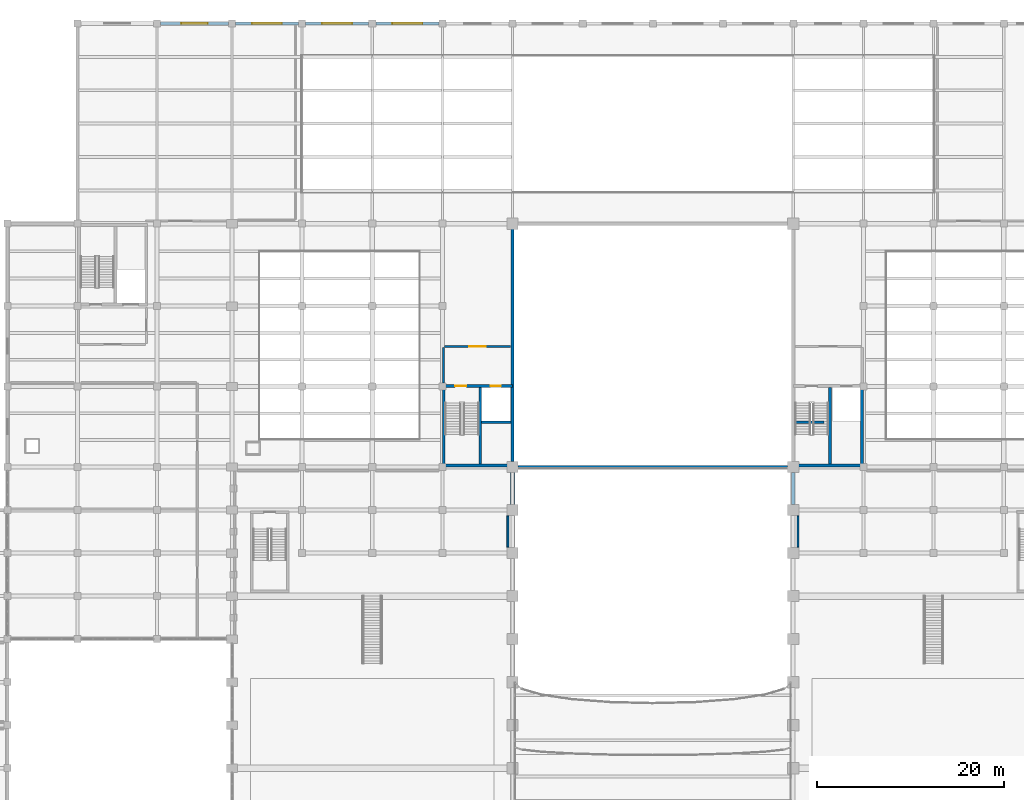
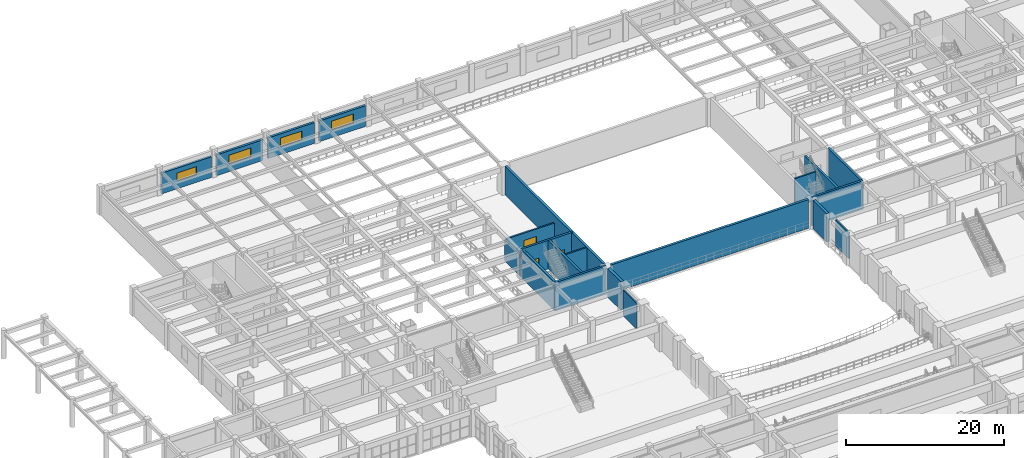
# One storey, part 99 of 116: 21 walls, 4 windows, 3 doors, 7 openings.
"""IFC4 building model written with IfcOpenShell, lengths in metres."""

from ifc_helpers import new_model, si_unit, direction, frame, frame_2d, origin, place, context, subcontext, project, spatial, rectangle, extrude, material, layer, layer_set, type_object, element, fill, save


model = new_model("IFC4")

# Units and contexts
model_context = context("Model", 3, precision=1e-05, world=origin(), true_north=direction((0.0, 1.0)))
body_context = subcontext(model_context, "Body", "Model", "MODEL_VIEW")
ifc_project = project(units=[si_unit("LENGTHUNIT", "METRE"), si_unit("AREAUNIT", "SQUARE_METRE"), si_unit("VOLUMEUNIT", "CUBIC_METRE"), si_unit("PLANEANGLEUNIT", "RADIAN"), si_unit("MASSUNIT", "GRAM", prefix="KILO")], contexts=[model_context])

# Site, building, storey
site_placement = place(None, origin())
site = spatial("IfcSite", under=ifc_project, at=site_placement, CompositionType="ELEMENT")
building_placement = place(site_placement, origin())
building = spatial("IfcBuilding", under=site, at=building_placement, Name="Muzn Square Opera House", CompositionType="ELEMENT")
storey_placement = place(building_placement, frame((0.0, 0.0, 5.39990234375)))
storey = spatial("IfcBuildingStorey", under=building, at=storey_placement, Name="L01", CompositionType="ELEMENT", Elevation=5.39990234375)

# Walls
ifc_material_1 = material(Name="Concrete C45/55", Category="concrete")
ifc_layer_1 = layer(ifc_material_1, 0.419921875, Name="Concrete C45/55", Category="concrete")
ifc_layer_set_1 = layer_set([ifc_layer_1], Name="Concrete C45/55")
wall_type_1 = type_object("IfcWallType", Name="Auditorium Acoustic Shear Wall 420mm", PredefinedType="SHEAR", material=ifc_layer_set_1)
for number, where, z_axis, x_axis, name in (
    (1, (73.0, 68.590087890625, 0.0), (0.0, 0.0, 1.0), (0.0, 1.0, 0.0), "Auditorium Acoustic Shear Wall AUDW-L01-W10"),
    (2, (103.0, 68.590087890625, 0.0), (0.0, 0.0, 1.0), (0.0, 1.0, 0.0), "Auditorium Acoustic Shear Wall AUDW-L01-E10"),
):
    element("IfcWall", number, at=place(storey_placement, frame(where, z_axis=z_axis, x_axis=x_axis)), inside=storey, type_object=wall_type_1, Name=name, PredefinedType="SHEAR", context=body_context, shape_type="SweptSolid", body=[
        extrude(rectangle(XDim=3.419921875, YDim=0.419921875, at=frame_2d((1.7099609375, 0.0))), origin(), (0.0, 0.0, 1.0), 4.400146484375),
    ])
ifc_layer_2 = layer(ifc_material_1, 0.300048828125, Name="Concrete C45/55", Category="concrete")
ifc_layer_set_2 = layer_set([ifc_layer_2], Name="Concrete C45/55")
wall_type_2 = type_object("IfcWallType", Name="Core Shear Wall 300mm", PredefinedType="SHEAR", material=ifc_layer_set_2)
wall_1_placement = place(storey_placement, frame((65.5, 72.75, 0.0), z_axis=(0.0, 0.0, 1.0), x_axis=(1.0, 0.0, 0.0)))
element("IfcWall", 3, at=wall_1_placement, inside=storey, type_object=wall_type_2, Name="Core C1 Shear Wall SW-C1-L01-S", PredefinedType="SHEAR", context=body_context, shape_type="SweptSolid", body=[
    extrude(rectangle(XDim=7.5, YDim=0.300048828125, at=frame_2d((3.75, 0.0))), origin(), (0.0, 0.0, 1.0), 4.400146484375),
])
for number, where, z_axis, x_axis, name in (
    (4, (65.64990234375, 72.89990234375, 0.0), (0.0, 0.0, 1.0), (0.0, 1.0, 0.0), "Core C1 Shear Wall SW-C1-L01-W"),
    (5, (69.550048828125, 72.89990234375, 0.0), (0.0, 0.0, 1.0), (0.0, 1.0, 0.0), "Core C1 Shear Wall SW-C1-L01-DIV"),
):
    element("IfcWall", number, at=place(storey_placement, frame(where, z_axis=z_axis, x_axis=x_axis)), inside=storey, type_object=wall_type_2, Name=name, PredefinedType="SHEAR", context=body_context, shape_type="SweptSolid", body=[
        extrude(rectangle(XDim=8.2001953125, YDim=0.300048828125, at=frame_2d((4.10009765625, 0.0))), origin(), (0.0, 0.0, 1.0), 4.400146484375),
    ])
wall_2_placement = place(storey_placement, frame((103.0, 72.75, 0.0), z_axis=(0.0, 0.0, 1.0), x_axis=(1.0, 0.0, 0.0)))
element("IfcWall", 6, at=wall_2_placement, inside=storey, type_object=wall_type_2, Name="Core C2 Shear Wall SW-C2-L01-S", PredefinedType="SHEAR", context=body_context, shape_type="SweptSolid", body=[
    extrude(rectangle(XDim=7.5, YDim=0.300048828125, at=frame_2d((3.75, 0.0))), origin(), (0.0, 0.0, 1.0), 4.400146484375),
])
for number, where, z_axis, x_axis, name in (
    (7, (110.35009765625, 72.89990234375, 0.0), (0.0, 0.0, 1.0), (0.0, 1.0, 0.0), "Core C2 Shear Wall SW-C2-L01-E"),
    (8, (106.919921875, 72.89990234375, 0.0), (0.0, 0.0, 1.0), (0.0, 1.0, 0.0), "Core C2 Shear Wall SW-C2-L01-DIV"),
):
    element("IfcWall", number, at=place(storey_placement, frame(where, z_axis=z_axis, x_axis=x_axis)), inside=storey, type_object=wall_type_2, Name=name, PredefinedType="SHEAR", context=body_context, shape_type="SweptSolid", body=[
        extrude(rectangle(XDim=8.2001953125, YDim=0.300048828125, at=frame_2d((4.10009765625, 0.0))), origin(), (0.0, 0.0, 1.0), 4.400146484375),
    ])

# Wall, openings, doors
wall_3_placement = place(storey_placement, frame((65.5, 81.25, 0.0), z_axis=(0.0, 0.0, 1.0), x_axis=(1.0, 0.0, 0.0)))
wall_3 = element("IfcWall", 9, at=wall_3_placement, inside=storey, type_object=wall_type_2, Name="Core C1 Front Shear Wall L01", PredefinedType="SHEAR", context=body_context, shape_type="SweptSolid", body=[
    extrude(rectangle(XDim=7.5, YDim=0.300048828125, at=frame_2d((3.75, 0.0))), origin(), (0.0, 0.0, 1.0), 4.400146484375),
])
opening_1_placement = place(wall_3_placement, frame((1.35009765625, 0.0, 0.0)))
opening_1 = element("IfcOpeningElement", 10, at=opening_1_placement, cuts=wall_3, Name="Opening DR-ST12", PredefinedType="OPENING", context=body_context, shape_type="SweptSolid", body=[
    extrude(rectangle(XDim=1.199951171875, YDim=2.14990234375, at=frame_2d((0.60009765625, 1.074951171875))), frame((0.0, 0.159912109375, 0.0), z_axis=(0.0, -1.0, 0.0), x_axis=(1.0, 0.0, 0.0)), (0.0, 0.0, 1.0), 0.320068359375),
])
opening_2_placement = place(wall_3_placement, frame((5.14990234375, 0.0, 0.0)))
opening_2 = element("IfcOpeningElement", 11, at=opening_2_placement, cuts=wall_3, Name="Opening LD-01", PredefinedType="OPENING", context=body_context, shape_type="SweptSolid", body=[
    extrude(rectangle(XDim=1.10009765625, YDim=2.14990234375, at=frame_2d((0.550048828125, 1.074951171875))), frame((0.0, 0.159912109375, 0.0), z_axis=(0.0, -1.0, 0.0), x_axis=(1.0, 0.0, 0.0)), (0.0, 0.0, 1.0), 0.320068359375),
])
ifc_material_2 = material(Name="Galvanised painted steel leaf", Category="metal")
door_type_1 = type_object("IfcDoorType", Name="Core Stair Fire Door 1200x2150", OperationType="NOTDEFINED", PredefinedType="DOOR", material=ifc_material_2)
door_1_placement = place(opening_1_placement, origin())
door_1 = element("IfcDoor", 12, at=door_1_placement, inside=storey, type_object=door_type_1, Name="Core C1 Stair Door L01", OperationType="SINGLE_SWING_LEFT", OverallHeight=2.14990234375, OverallWidth=1.199951171875, PredefinedType="DOOR", context=body_context, shape_type="SweptSolid", body=[
    extrude(rectangle(XDim=1.199951171875, YDim=2.14990234375, at=frame_2d((0.60009765625, 1.074951171875))), frame((0.0, 0.02490234375, 0.0), z_axis=(0.0, -1.0, 0.0), x_axis=(1.0, 0.0, 0.0)), (0.0, 0.0, 1.0), 0.050048828125),
])
fill(opening_1, door_1)
ifc_material_3 = material(Name="Brushed stainless steel", Category="metal")
door_type_2 = type_object("IfcDoorType", Name="Lift Landing Sliding Door 1100x2150", OperationType="SLIDING_TO_LEFT", PredefinedType="DOOR", material=ifc_material_3)
door_2_placement = place(opening_2_placement, origin())
door_2 = element("IfcDoor", 13, at=door_2_placement, inside=storey, type_object=door_type_2, Name="Lift FFL-1 Sliding Landing Door L01", OperationType="SLIDING_TO_LEFT", OverallHeight=2.14990234375, OverallWidth=1.10009765625, PredefinedType="DOOR", context=body_context, shape_type="SweptSolid", body=[
    extrude(rectangle(XDim=1.10009765625, YDim=2.14990234375, at=frame_2d((0.550048828125, 1.074951171875))), frame((0.0, 0.02490234375, 0.0), z_axis=(0.0, -1.0, 0.0), x_axis=(1.0, 0.0, 0.0)), (0.0, 0.0, 1.0), 0.050048828125),
])
fill(opening_2, door_2)

# Walls
ifc_material_4 = material(Name="Acoustic gypsum stud partition", Category="gypsum")
ifc_layer_3 = layer(ifc_material_4, 0.199951171875, Name="Acoustic gypsum stud partition", Category="gypsum")
ifc_layer_set_3 = layer_set([ifc_layer_3], Name="Acoustic gypsum stud partition")
wall_type_3 = type_object("IfcWallType", Name="Corridor Rated Partition 200mm", PredefinedType="PARTITIONING", material=ifc_layer_set_3)
for number, where, z_axis, x_axis, name in (
    (14, (72.5, 64.02001953125, 0.0), (0.0, 0.0, 1.0), (0.0, 1.0, 0.0), "Room Enclosure Partition PW-L01-0199"),
    (15, (103.5, 64.02001953125, 0.0), (0.0, 0.0, 1.0), (0.0, 1.0, 0.0), "Room Enclosure Partition PW-L01-0203"),
):
    element("IfcWall", number, at=place(storey_placement, frame(where, z_axis=z_axis, x_axis=x_axis)), inside=storey, type_object=wall_type_3, Name=name, PredefinedType="PARTITIONING", context=body_context, shape_type="SweptSolid", body=[
        extrude(rectangle(XDim=3.35986328125, YDim=0.199951171875, at=frame_2d((1.679931640625, 0.0))), origin(), (0.0, 0.0, 1.0), 4.02001953125),
    ])

# Wall, opening, window
ifc_material_5 = material(Name="Concrete C40/50", Category="concrete")
ifc_layer_4 = layer(ifc_material_5, 0.340087890625, Name="Concrete C40/50", Category="concrete")
ifc_layer_set_4 = layer_set([ifc_layer_4], Name="Concrete C40/50")
wall_type_4 = type_object("IfcWallType", Name="Exterior Insulated Spandrel Wall 340mm", PredefinedType="SOLIDWALL", material=ifc_layer_set_4)
wall_4_placement = place(storey_placement, frame((35.375, 120.0, 0.0), z_axis=(0.0, 0.0, 1.0), x_axis=(1.0, 0.0, 0.0)))
wall_4 = element("IfcWall", 16, at=wall_4_placement, inside=storey, type_object=wall_type_4, Name="Exterior Facade Wall EW-L01-044", PredefinedType="SOLIDWALL", context=body_context, shape_type="SweptSolid", body=[
    extrude(rectangle(XDim=7.25, YDim=0.340087890625, at=frame_2d((3.625, 0.0))), origin(), (0.0, 0.0, 1.0), 3.2001953125),
])
opening_3_placement = place(wall_4_placement, frame((2.22509765625, 0.0, 1.14990234375)))
opening_3 = element("IfcOpeningElement", 17, at=opening_3_placement, cuts=wall_4, Name="Opening WN-S2813", PredefinedType="OPENING", context=body_context, shape_type="SweptSolid", body=[
    extrude(rectangle(XDim=2.800048828125, YDim=1.300048828125, at=frame_2d((1.39990234375, 0.64990234375))), frame((0.0, 0.179931640625, 0.0), z_axis=(0.0, -1.0, 0.0), x_axis=(1.0, 0.0, 0.0)), (0.0, 0.0, 1.0), 0.360107421875),
])
ifc_material_6 = material(Name="Low-E laminated acoustic double glazing", Category="glass")
window_type_1 = type_object("IfcWindowType", Name="Scenery Clerestory Window 2800x1300", PartitioningType="DOUBLE_PANEL_HORIZONTAL", PredefinedType="WINDOW", material=ifc_material_6)
window_1_placement = place(opening_3_placement, origin())
window_1 = element("IfcWindow", 18, at=window_1_placement, inside=storey, type_object=window_type_1, Name="Scenery Clerestory Window 2800x1300 EW-L01-044-WN01", OverallHeight=1.300048828125, OverallWidth=2.800048828125, PartitioningType="SINGLE_PANEL", PredefinedType="WINDOW", context=body_context, shape_type="SweptSolid", body=[
    extrude(rectangle(XDim=2.800048828125, YDim=1.300048828125, at=frame_2d((1.39990234375, 0.64990234375))), frame((0.0, 0.030029296875, 0.0), z_axis=(0.0, -1.0, 0.0), x_axis=(1.0, 0.0, 0.0)), (0.0, 0.0, 1.0), 0.06005859375),
])
fill(opening_3, window_1)

wall_5_placement = place(storey_placement, frame((43.375, 120.0, 0.0), z_axis=(0.0, 0.0, 1.0), x_axis=(1.0, 0.0, 0.0)))
wall_5 = element("IfcWall", 19, at=wall_5_placement, inside=storey, type_object=wall_type_4, Name="Exterior Facade Wall EW-L01-045", PredefinedType="SOLIDWALL", context=body_context, shape_type="SweptSolid", body=[
    extrude(rectangle(XDim=6.75, YDim=0.340087890625, at=frame_2d((3.375, 0.0))), origin(), (0.0, 0.0, 1.0), 3.2001953125),
])
opening_4_placement = place(wall_5_placement, frame((1.77490234375, 0.0, 1.14990234375)))
opening_4 = element("IfcOpeningElement", 20, at=opening_4_placement, cuts=wall_5, Name="Opening WN-S3214", PredefinedType="OPENING", context=body_context, shape_type="SweptSolid", body=[
    extrude(rectangle(XDim=3.199951171875, YDim=1.39990234375, at=frame_2d((1.60009765625, 0.699951171875))), frame((0.0, 0.179931640625, 0.0), z_axis=(0.0, -1.0, 0.0), x_axis=(1.0, 0.0, 0.0)), (0.0, 0.0, 1.0), 0.360107421875),
])
window_type_2 = type_object("IfcWindowType", Name="Scenery Clerestory Window 3200x1400", PartitioningType="TRIPLE_PANEL_VERTICAL", PredefinedType="WINDOW", material=ifc_material_6)
window_2_placement = place(opening_4_placement, origin())
window_2 = element("IfcWindow", 21, at=window_2_placement, inside=storey, type_object=window_type_2, Name="Scenery Clerestory Window 3200x1400 EW-L01-045-WN01", OverallHeight=1.39990234375, OverallWidth=3.199951171875, PartitioningType="SINGLE_PANEL", PredefinedType="WINDOW", context=body_context, shape_type="SweptSolid", body=[
    extrude(rectangle(XDim=3.199951171875, YDim=1.39990234375, at=frame_2d((1.60009765625, 0.699951171875))), frame((0.0, 0.030029296875, 0.0), z_axis=(0.0, -1.0, 0.0), x_axis=(1.0, 0.0, 0.0)), (0.0, 0.0, 1.0), 0.06005859375),
])
fill(opening_4, window_2)

wall_6_placement = place(storey_placement, frame((50.875, 120.0, 0.0), z_axis=(0.0, 0.0, 1.0), x_axis=(1.0, 0.0, 0.0)))
wall_6 = element("IfcWall", 22, at=wall_6_placement, inside=storey, type_object=wall_type_4, Name="Exterior Facade Wall EW-L01-046", PredefinedType="SOLIDWALL", context=body_context, shape_type="SweptSolid", body=[
    extrude(rectangle(XDim=6.75, YDim=0.340087890625, at=frame_2d((3.375, 0.0))), origin(), (0.0, 0.0, 1.0), 3.2001953125),
])
opening_5_placement = place(wall_6_placement, frame((1.77490234375, 0.0, 1.14990234375)))
opening_5 = element("IfcOpeningElement", 23, at=opening_5_placement, cuts=wall_6, Name="Opening WN-S3214", PredefinedType="OPENING", context=body_context, shape_type="SweptSolid", body=[
    extrude(rectangle(XDim=3.199951171875, YDim=1.39990234375, at=frame_2d((1.60009765625, 0.699951171875))), frame((0.0, 0.179931640625, 0.0), z_axis=(0.0, -1.0, 0.0), x_axis=(1.0, 0.0, 0.0)), (0.0, 0.0, 1.0), 0.360107421875),
])
window_3_placement = place(opening_5_placement, origin())
window_3 = element("IfcWindow", 24, at=window_3_placement, inside=storey, type_object=window_type_2, Name="Scenery Clerestory Window 3200x1400 EW-L01-046-WN01", OverallHeight=1.39990234375, OverallWidth=3.199951171875, PartitioningType="SINGLE_PANEL", PredefinedType="WINDOW", context=body_context, shape_type="SweptSolid", body=[
    extrude(rectangle(XDim=3.199951171875, YDim=1.39990234375, at=frame_2d((1.60009765625, 0.699951171875))), frame((0.0, 0.030029296875, 0.0), z_axis=(0.0, -1.0, 0.0), x_axis=(1.0, 0.0, 0.0)), (0.0, 0.0, 1.0), 0.06005859375),
])
fill(opening_5, window_3)

wall_7_placement = place(storey_placement, frame((58.375, 120.0, 0.0), z_axis=(0.0, 0.0, 1.0), x_axis=(1.0, 0.0, 0.0)))
wall_7 = element("IfcWall", 25, at=wall_7_placement, inside=storey, type_object=wall_type_4, Name="Exterior Facade Wall EW-L01-047", PredefinedType="SOLIDWALL", context=body_context, shape_type="SweptSolid", body=[
    extrude(rectangle(XDim=6.75, YDim=0.340087890625, at=frame_2d((3.375, 0.0))), origin(), (0.0, 0.0, 1.0), 3.2001953125),
])
opening_6_placement = place(wall_7_placement, frame((1.77490234375, 0.0, 1.14990234375)))
opening_6 = element("IfcOpeningElement", 26, at=opening_6_placement, cuts=wall_7, Name="Opening WN-S3214", PredefinedType="OPENING", context=body_context, shape_type="SweptSolid", body=[
    extrude(rectangle(XDim=3.199951171875, YDim=1.39990234375, at=frame_2d((1.60009765625, 0.699951171875))), frame((0.0, 0.179931640625, 0.0), z_axis=(0.0, -1.0, 0.0), x_axis=(1.0, 0.0, 0.0)), (0.0, 0.0, 1.0), 0.360107421875),
])
window_4_placement = place(opening_6_placement, origin())
window_4 = element("IfcWindow", 27, at=window_4_placement, inside=storey, type_object=window_type_2, Name="Scenery Clerestory Window 3200x1400 EW-L01-047-WN01", OverallHeight=1.39990234375, OverallWidth=3.199951171875, PartitioningType="SINGLE_PANEL", PredefinedType="WINDOW", context=body_context, shape_type="SweptSolid", body=[
    extrude(rectangle(XDim=3.199951171875, YDim=1.39990234375, at=frame_2d((1.60009765625, 0.699951171875))), frame((0.0, 0.030029296875, 0.0), z_axis=(0.0, -1.0, 0.0), x_axis=(1.0, 0.0, 0.0)), (0.0, 0.0, 1.0), 0.06005859375),
])
fill(opening_6, window_4)

# Wall, opening, door
ifc_layer_5 = layer(ifc_material_5, 0.239990234375, Name="Concrete C40/50", Category="concrete")
ifc_layer_set_5 = layer_set([ifc_layer_5], Name="Concrete C40/50")
wall_type_5 = type_object("IfcWallType", Name="Firefighting Lobby Wall 240mm", PredefinedType="SOLIDWALL", material=ifc_layer_set_5)
wall_8_placement = place(storey_placement, frame((65.739990234375, 85.47998046875, 0.0), z_axis=(0.0, 0.0, 1.0), x_axis=(1.0, 0.0, 0.0)))
wall_8 = element("IfcWall", 28, at=wall_8_placement, inside=storey, type_object=wall_type_5, Name="Lobby C1 Enclosure Wall L01", PredefinedType="SOLIDWALL", context=body_context, shape_type="SweptSolid", body=[
    extrude(rectangle(XDim=7.02001953125, YDim=0.239990234375, at=frame_2d((3.510009765625, 0.0))), origin(), (0.0, 0.0, 1.0), 3.300048828125),
])
opening_7_placement = place(wall_8_placement, frame((2.610107421875, 0.0, 0.0)))
opening_7 = element("IfcOpeningElement", 29, at=opening_7_placement, cuts=wall_8, Name="Opening DR-FL18", PredefinedType="OPENING", context=body_context, shape_type="SweptSolid", body=[
    extrude(rectangle(XDim=1.800048828125, YDim=2.179931640625, at=frame_2d((0.89990234375, 1.08984375))), frame((0.0, 0.1298828125, 0.0), z_axis=(0.0, -1.0, 0.0), x_axis=(1.0, 0.0, 0.0)), (0.0, 0.0, 1.0), 0.260009765625),
])
door_type_3 = type_object("IfcDoorType", Name="Firefighting Lobby Double Door 1800x2180", OperationType="DOUBLE_DOOR_SINGLE_SWING", PredefinedType="DOOR", material=ifc_material_2)
door_3_placement = place(opening_7_placement, origin())
door_3 = element("IfcDoor", 30, at=door_3_placement, inside=storey, type_object=door_type_3, Name="Lobby C1 Fire Door L01", OperationType="DOUBLE_DOOR_SINGLE_SWING", OverallHeight=2.179931640625, OverallWidth=1.800048828125, PredefinedType="DOOR", context=body_context, shape_type="SweptSolid", body=[
    extrude(rectangle(XDim=1.800048828125, YDim=2.179931640625, at=frame_2d((0.89990234375, 1.08984375))), frame((0.0, 0.02490234375, 0.0), z_axis=(0.0, -1.0, 0.0), x_axis=(1.0, 0.0, 0.0)), (0.0, 0.0, 1.0), 0.050048828125),
])
fill(opening_7, door_3)

# Walls
wall_9_placement = place(storey_placement, frame((65.6201171875, 81.550048828125, 0.0), z_axis=(0.0, 0.0, 1.0), x_axis=(0.0, 1.0, 0.0)))
element("IfcWall", 31, at=wall_9_placement, inside=storey, type_object=wall_type_5, Name="Lobby C1 Side Wall W L01", PredefinedType="SOLIDWALL", context=body_context, shape_type="SweptSolid", body=[
    extrude(rectangle(XDim=3.81005859375, YDim=0.239990234375, at=frame_2d((1.905029296875, 0.0))), origin(), (0.0, 0.0, 1.0), 3.300048828125),
])
ifc_layer_6 = layer(ifc_material_1, 0.35009765625, Name="Concrete C45/55", Category="concrete")
ifc_layer_set_6 = layer_set([ifc_layer_6], Name="Concrete C45/55")
wall_type_6 = type_object("IfcWallType", Name="Fly Tower Shear Wall 350mm", PredefinedType="SHEAR", material=ifc_layer_set_6)
wall_10_placement = place(storey_placement, frame((73.0, 73.18994140625, 0.0), z_axis=(0.0, 0.0, 1.0), x_axis=(0.0, 1.0, 0.0)))
element("IfcWall", 32, at=wall_10_placement, inside=storey, type_object=wall_type_6, Name="Fly Tower Shear Wall FTW-L01-W", PredefinedType="SHEAR", context=body_context, shape_type="SweptSolid", body=[
    extrude(rectangle(XDim=24.820068359375, YDim=0.35009765625, at=frame_2d((12.41015625, 0.0))), origin(), (0.0, 0.0, 1.0), 4.400146484375),
])
wall_11_placement = place(storey_placement, frame((73.590087890625, 72.60009765625, 0.0), z_axis=(0.0, 0.0, 1.0), x_axis=(1.0, 0.0, 0.0)))
element("IfcWall", 33, at=wall_11_placement, inside=storey, type_object=wall_type_6, Name="Fly Tower Shear Wall FTW-L01-S", PredefinedType="SHEAR", context=body_context, shape_type="SweptSolid", body=[
    extrude(rectangle(XDim=28.81982421875, YDim=0.35009765625, at=frame_2d((14.409912109375, 0.0))), origin(), (0.0, 0.0, 1.0), 4.400146484375),
])
ifc_layer_7 = layer(ifc_material_5, 0.219970703125, Name="Concrete C40/50", Category="concrete")
ifc_layer_set_7 = layer_set([ifc_layer_7], Name="Concrete C40/50")
wall_type_7 = type_object("IfcWallType", Name="Lift Lobby Wall 220mm", PredefinedType="SOLIDWALL", material=ifc_layer_set_7)
for number, where, z_axis, x_axis, name in (
    (34, (69.699951171875, 77.3798828125, 0.0), (0.0, 0.0, 1.0), (1.0, 0.0, 0.0), "Core C1 Lift Shaft South Wall L01"),
    (35, (103.179931640625, 77.3798828125, 0.0), (0.0, 0.0, 1.0), (1.0, 0.0, 0.0), "Core C2 Lift Shaft South Wall L01"),
):
    element("IfcWall", number, at=place(storey_placement, frame(where, z_axis=z_axis, x_axis=x_axis)), inside=storey, type_object=wall_type_7, Name=name, PredefinedType="SOLIDWALL", context=body_context, shape_type="SweptSolid", body=[
        extrude(rectangle(XDim=3.1201171875, YDim=0.219970703125, at=frame_2d((1.56005859375, 0.0))), origin(), (0.0, 0.0, 1.0), 4.400146484375),
    ])

save(model, "model.ifc")
